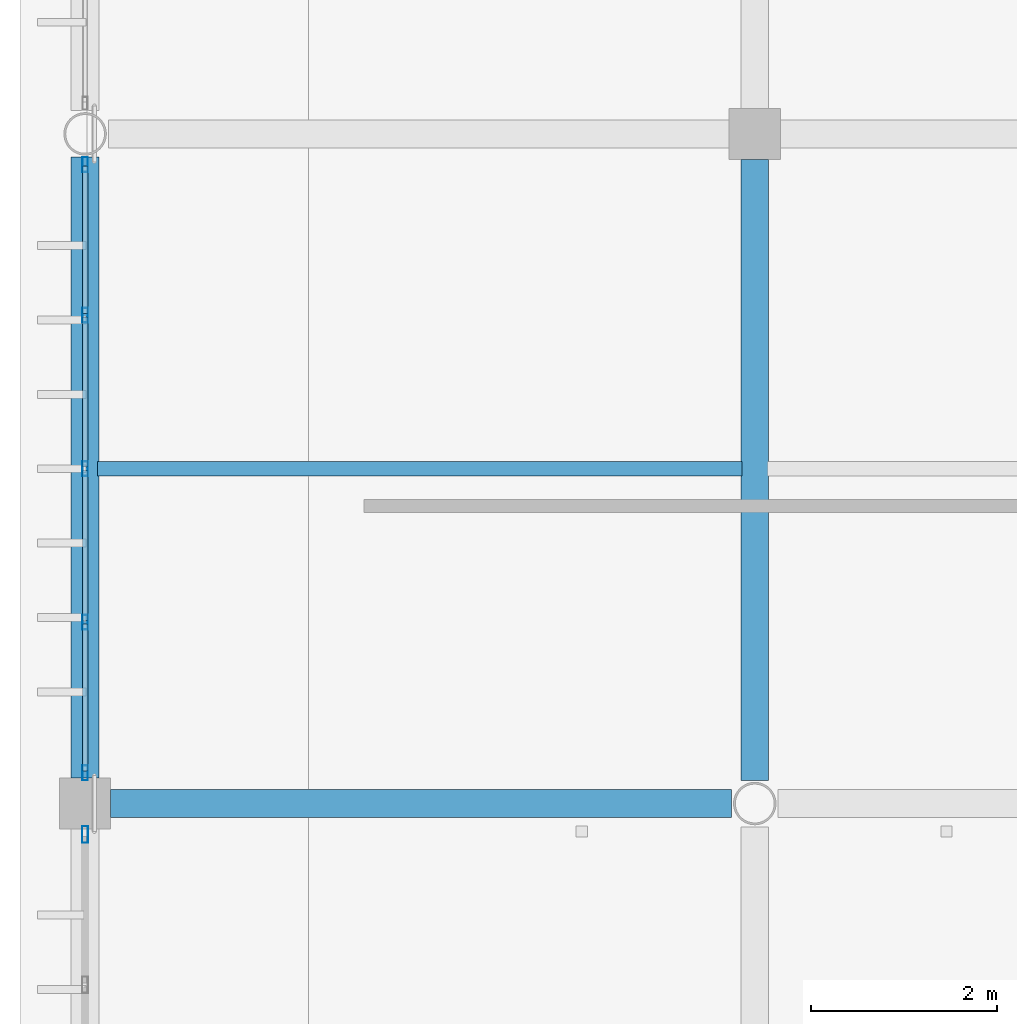
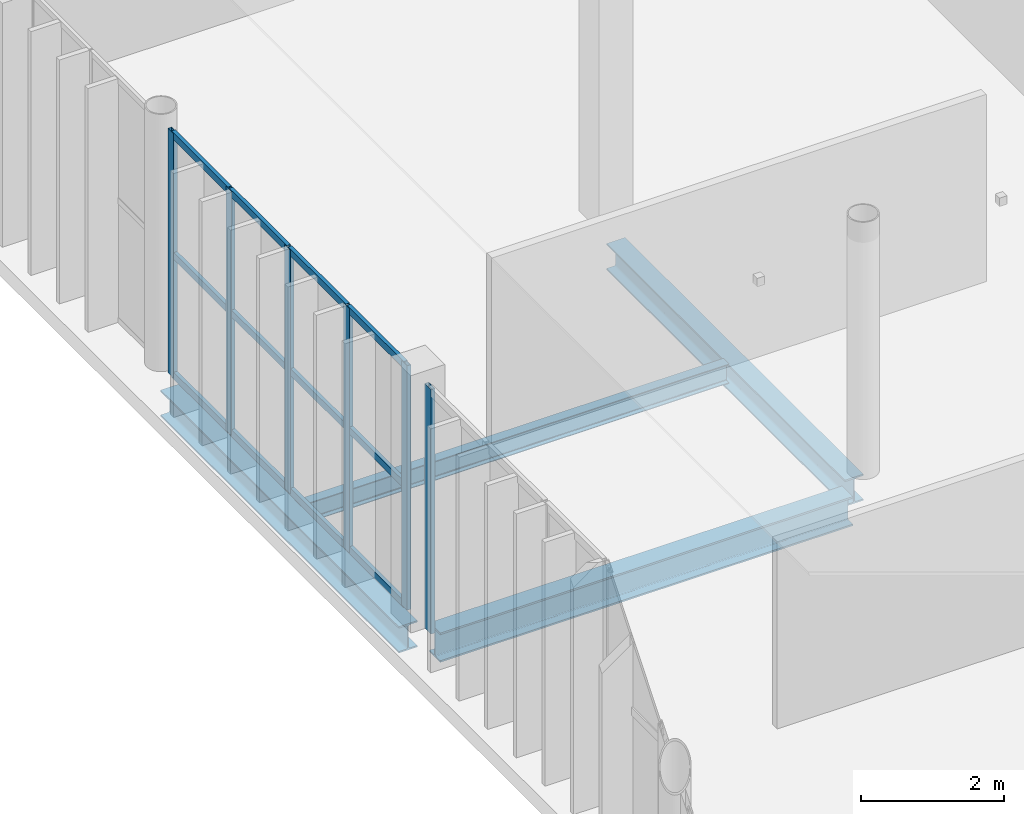
# One storey, part 32 of 81: 18 members, 4 beams, 2 elements without a shape of their own.
"""IFC4 building model written with IfcOpenShell, lengths in metres."""

from ifc_helpers import new_model, si_unit, direction, frame, origin, origin_2d, place, context, subcontext, project, spatial, hollow_rectangle, i_section, extrude, material, material_profile, profile_set, type_object, element, aggregate, save


model = new_model("IFC4")

# Units and contexts
model_context = context("Model", 3, precision=1e-05, world=origin(), true_north=direction((0.0, 1.0)))
body_context = subcontext(model_context, "Body", "Model", "MODEL_VIEW")
ifc_project = project(units=[si_unit("LENGTHUNIT", "METRE"), si_unit("AREAUNIT", "SQUARE_METRE"), si_unit("VOLUMEUNIT", "CUBIC_METRE"), si_unit("PLANEANGLEUNIT", "RADIAN"), si_unit("MASSUNIT", "GRAM", prefix="KILO")], contexts=[model_context])

# Site, building, storey
site_placement = place(None, origin())
site = spatial("IfcSite", under=ifc_project, at=site_placement, CompositionType="ELEMENT")
building_placement = place(site_placement, origin())
building = spatial("IfcBuilding", under=site, at=building_placement, Name="Qandorah Velis Arena", CompositionType="ELEMENT")
storey_placement = place(building_placement, frame((0.0, 0.0, 18.60009765625)))
storey = spatial("IfcBuildingStorey", under=building, at=storey_placement, Name="L04", CompositionType="ELEMENT", Elevation=18.60009765625)

# Curtain wall, members
ifc_material_1 = material(Name="Solar-control low-E double glazing", Category="glass")
curtain_wall_type_1 = type_object("IfcCurtainWallType", Name="ARC-CW-SYS11", PredefinedType="USERDEFINED", material=ifc_material_1)
curtain_wall_1_placement = place(storey_placement, origin())
curtain_wall_1 = element("IfcCurtainWall", 1, at=curtain_wall_1_placement, inside=storey, type_object=curtain_wall_type_1, Name="Unitised curtain wall L04-035", ObjectType="UNITISED CURTAIN WALL", PredefinedType="USERDEFINED")
ifc_material_2 = material(Name="Champagne-bronze anodized aluminium 6063-T6", Category="aluminium")
ifc_material_profile_1 = material_profile(ifc_material_2, hollow_rectangle(XDim=0.06005859375, YDim=0.159912109375, WallThickness=0.00341796875, at=origin_2d()), Name="ALU MULLION 60x160")
ifc_profile_set_1 = profile_set([ifc_material_profile_1], Name="Champagne-bronze anodized aluminium 6063-T6")
member_type_1 = type_object("IfcMemberType", Name="ARC-CWM-160", PredefinedType="MULLION", material=ifc_profile_set_1)
member_1_placement = place(storey_placement, frame((0.0, 65.1298828125, -0.01513671875), z_axis=(0.0, 0.0, 1.0), x_axis=(-1.0, 0.0, 0.0)))
member_1 = element("IfcMember", 2, at=member_1_placement, type_object=member_type_1, Name="CW11 mullion 1", PredefinedType="MULLION", context=body_context, shape_type="SweptSolid", body=[
    extrude(hollow_rectangle(XDim=0.06005859375, YDim=0.159912109375, WallThickness=0.00341796875, at=origin_2d()), origin(), (0.0, 0.0, 1.0), 4.179931640625),
])
member_2_placement = place(storey_placement, frame((0.0, 66.75, -0.01513671875), z_axis=(0.0, 0.0, 1.0), x_axis=(-1.0, 0.0, 0.0)))
member_2 = element("IfcMember", 3, at=member_2_placement, type_object=member_type_1, Name="CW11 mullion 2", PredefinedType="MULLION", context=body_context, shape_type="SweptSolid", body=[
    extrude(hollow_rectangle(XDim=0.06005859375, YDim=0.159912109375, WallThickness=0.00341796875, at=origin_2d()), origin(), (0.0, 0.0, 1.0), 4.179931640625),
])
member_3_placement = place(storey_placement, frame((0.0, 68.39990234375, -0.01513671875), z_axis=(0.0, 0.0, 1.0), x_axis=(-1.0, 0.0, 0.0)))
member_3 = element("IfcMember", 4, at=member_3_placement, type_object=member_type_1, Name="CW11 mullion 3", PredefinedType="MULLION", context=body_context, shape_type="SweptSolid", body=[
    extrude(hollow_rectangle(XDim=0.06005859375, YDim=0.159912109375, WallThickness=0.00341796875, at=origin_2d()), origin(), (0.0, 0.0, 1.0), 4.179931640625),
])
member_4_placement = place(storey_placement, frame((0.0, 70.050048828125, -0.01513671875), z_axis=(0.0, 0.0, 1.0), x_axis=(-1.0, 0.0, 0.0)))
member_4 = element("IfcMember", 5, at=member_4_placement, type_object=member_type_1, Name="CW11 mullion 4", PredefinedType="MULLION", context=body_context, shape_type="SweptSolid", body=[
    extrude(hollow_rectangle(XDim=0.06005859375, YDim=0.159912109375, WallThickness=0.00341796875, at=origin_2d()), origin(), (0.0, 0.0, 1.0), 4.179931640625),
])
member_5_placement = place(storey_placement, frame((0.0, 71.669921875, -0.01513671875), z_axis=(0.0, 0.0, 1.0), x_axis=(-1.0, 0.0, 0.0)))
member_5 = element("IfcMember", 6, at=member_5_placement, type_object=member_type_1, Name="CW11 mullion 5", PredefinedType="MULLION", context=body_context, shape_type="SweptSolid", body=[
    extrude(hollow_rectangle(XDim=0.06005859375, YDim=0.159912109375, WallThickness=0.00341796875, at=origin_2d()), origin(), (0.0, 0.0, 1.0), 4.179931640625),
])

# Curtain wall, member
curtain_wall_type_2 = type_object("IfcCurtainWallType", Name="ARC-CW-SYS10", PredefinedType="USERDEFINED", material=ifc_material_1)
curtain_wall_2_placement = place(storey_placement, origin())
curtain_wall_2 = element("IfcCurtainWall", 7, at=curtain_wall_2_placement, inside=storey, type_object=curtain_wall_type_2, Name="Unitised curtain wall L04-034", ObjectType="UNITISED CURTAIN WALL", PredefinedType="USERDEFINED")
ifc_material_profile_2 = material_profile(ifc_material_2, hollow_rectangle(XDim=0.06494140625, YDim=0.179931640625, WallThickness=0.00341796875, at=origin_2d()), Name="ALU MULLION 65x180")
ifc_profile_set_2 = profile_set([ifc_material_profile_2], Name="Champagne-bronze anodized aluminium 6063-T6")
member_type_2 = type_object("IfcMemberType", Name="ARC-CWM-180", PredefinedType="MULLION", material=ifc_profile_set_2)
member_6_placement = place(storey_placement, frame((0.0, 64.467529296875, -0.01513671875), z_axis=(0.0, 0.0, 1.0), x_axis=(-1.0, 0.0, 0.0)))
member_6 = element("IfcMember", 8, at=member_6_placement, type_object=member_type_2, Name="CW10 mullion 5", PredefinedType="MULLION", context=body_context, shape_type="SweptSolid", body=[
    extrude(hollow_rectangle(XDim=0.06494140625, YDim=0.179931640625, WallThickness=0.00341796875, at=origin_2d()), origin(), (0.0, 0.0, 1.0), 4.179931640625),
])
aggregate(curtain_wall_2, [member_6])

# Member
ifc_material_profile_3 = material_profile(ifc_material_2, hollow_rectangle(XDim=0.06005859375, YDim=0.1201171875, WallThickness=0.0029296875, at=origin_2d()), Name="ALU TRANSOM 60x120")
ifc_profile_set_3 = profile_set([ifc_material_profile_3], Name="Champagne-bronze anodized aluminium 6063-T6")
member_type_3 = type_object("IfcMemberType", Name="ARC-CWT-120", PredefinedType="USERDEFINED", material=ifc_profile_set_3)
member_7_placement = place(storey_placement, frame((0.0, 65.14794921875, 0.02978515625), z_axis=(0.0, 1.0, 0.0), x_axis=(-1.0, 0.0, 0.0)))
member_7 = element("IfcMember", 9, at=member_7_placement, type_object=member_type_3, Name="CW11 transom 1.1", ObjectType="TRANSOM", PredefinedType="USERDEFINED", context=body_context, shape_type="SweptSolid", body=[
    extrude(hollow_rectangle(XDim=0.06005859375, YDim=0.1201171875, WallThickness=0.0029296875, at=origin_2d()), origin(), (0.0, 0.0, 1.0), 1.583984375),
])

member_8_placement = place(storey_placement, frame((0.0, 65.14794921875, 2.074951171875), z_axis=(0.0, 1.0, 0.0), x_axis=(-1.0, 0.0, 0.0)))
member_8 = element("IfcMember", 10, at=member_8_placement, type_object=member_type_3, Name="CW11 transom 1.2", ObjectType="TRANSOM", PredefinedType="USERDEFINED", context=body_context, shape_type="SweptSolid", body=[
    extrude(hollow_rectangle(XDim=0.06005859375, YDim=0.1201171875, WallThickness=0.0029296875, at=origin_2d()), origin(), (0.0, 0.0, 1.0), 1.583984375),
])

member_9_placement = place(storey_placement, frame((0.0, 65.14794921875, 4.119873046875), z_axis=(0.0, 1.0, 0.0), x_axis=(-1.0, 0.0, 0.0)))
member_9 = element("IfcMember", 11, at=member_9_placement, type_object=member_type_3, Name="CW11 transom 1.3", ObjectType="TRANSOM", PredefinedType="USERDEFINED", context=body_context, shape_type="SweptSolid", body=[
    extrude(hollow_rectangle(XDim=0.06005859375, YDim=0.1201171875, WallThickness=0.0029296875, at=origin_2d()), origin(), (0.0, 0.0, 1.0), 1.583984375),
])

member_10_placement = place(storey_placement, frame((0.0, 66.76806640625, 0.02978515625), z_axis=(0.0, 1.0, 0.0), x_axis=(-1.0, 0.0, 0.0)))
member_10 = element("IfcMember", 12, at=member_10_placement, type_object=member_type_3, Name="CW11 transom 2.1", ObjectType="TRANSOM", PredefinedType="USERDEFINED", context=body_context, shape_type="SweptSolid", body=[
    extrude(hollow_rectangle(XDim=0.06005859375, YDim=0.1201171875, WallThickness=0.0029296875, at=origin_2d()), origin(), (0.0, 0.0, 1.0), 1.614013671875),
])

member_11_placement = place(storey_placement, frame((0.0, 66.76806640625, 2.074951171875), z_axis=(0.0, 1.0, 0.0), x_axis=(-1.0, 0.0, 0.0)))
member_11 = element("IfcMember", 13, at=member_11_placement, type_object=member_type_3, Name="CW11 transom 2.2", ObjectType="TRANSOM", PredefinedType="USERDEFINED", context=body_context, shape_type="SweptSolid", body=[
    extrude(hollow_rectangle(XDim=0.06005859375, YDim=0.1201171875, WallThickness=0.0029296875, at=origin_2d()), origin(), (0.0, 0.0, 1.0), 1.614013671875),
])

member_12_placement = place(storey_placement, frame((0.0, 66.76806640625, 4.119873046875), z_axis=(0.0, 1.0, 0.0), x_axis=(-1.0, 0.0, 0.0)))
member_12 = element("IfcMember", 14, at=member_12_placement, type_object=member_type_3, Name="CW11 transom 2.3", ObjectType="TRANSOM", PredefinedType="USERDEFINED", context=body_context, shape_type="SweptSolid", body=[
    extrude(hollow_rectangle(XDim=0.06005859375, YDim=0.1201171875, WallThickness=0.0029296875, at=origin_2d()), origin(), (0.0, 0.0, 1.0), 1.614013671875),
])

member_13_placement = place(storey_placement, frame((0.0, 68.41796875, 0.02978515625), z_axis=(0.0, 1.0, 0.0), x_axis=(-1.0, 0.0, 0.0)))
member_13 = element("IfcMember", 15, at=member_13_placement, type_object=member_type_3, Name="CW11 transom 3.1", ObjectType="TRANSOM", PredefinedType="USERDEFINED", context=body_context, shape_type="SweptSolid", body=[
    extrude(hollow_rectangle(XDim=0.06005859375, YDim=0.1201171875, WallThickness=0.0029296875, at=origin_2d()), origin(), (0.0, 0.0, 1.0), 1.614013671875),
])

member_14_placement = place(storey_placement, frame((0.0, 68.41796875, 2.074951171875), z_axis=(0.0, 1.0, 0.0), x_axis=(-1.0, 0.0, 0.0)))
member_14 = element("IfcMember", 16, at=member_14_placement, type_object=member_type_3, Name="CW11 transom 3.2", ObjectType="TRANSOM", PredefinedType="USERDEFINED", context=body_context, shape_type="SweptSolid", body=[
    extrude(hollow_rectangle(XDim=0.06005859375, YDim=0.1201171875, WallThickness=0.0029296875, at=origin_2d()), origin(), (0.0, 0.0, 1.0), 1.614013671875),
])

member_15_placement = place(storey_placement, frame((0.0, 68.41796875, 4.119873046875), z_axis=(0.0, 1.0, 0.0), x_axis=(-1.0, 0.0, 0.0)))
member_15 = element("IfcMember", 17, at=member_15_placement, type_object=member_type_3, Name="CW11 transom 3.3", ObjectType="TRANSOM", PredefinedType="USERDEFINED", context=body_context, shape_type="SweptSolid", body=[
    extrude(hollow_rectangle(XDim=0.06005859375, YDim=0.1201171875, WallThickness=0.0029296875, at=origin_2d()), origin(), (0.0, 0.0, 1.0), 1.614013671875),
])

member_16_placement = place(storey_placement, frame((0.0, 70.068115234375, 0.02978515625), z_axis=(0.0, 1.0, 0.0), x_axis=(-1.0, 0.0, 0.0)))
member_16 = element("IfcMember", 18, at=member_16_placement, type_object=member_type_3, Name="CW11 transom 4.1", ObjectType="TRANSOM", PredefinedType="USERDEFINED", context=body_context, shape_type="SweptSolid", body=[
    extrude(hollow_rectangle(XDim=0.06005859375, YDim=0.1201171875, WallThickness=0.0029296875, at=origin_2d()), origin(), (0.0, 0.0, 1.0), 1.583984375),
])

member_17_placement = place(storey_placement, frame((0.0, 70.068115234375, 2.074951171875), z_axis=(0.0, 1.0, 0.0), x_axis=(-1.0, 0.0, 0.0)))
member_17 = element("IfcMember", 19, at=member_17_placement, type_object=member_type_3, Name="CW11 transom 4.2", ObjectType="TRANSOM", PredefinedType="USERDEFINED", context=body_context, shape_type="SweptSolid", body=[
    extrude(hollow_rectangle(XDim=0.06005859375, YDim=0.1201171875, WallThickness=0.0029296875, at=origin_2d()), origin(), (0.0, 0.0, 1.0), 1.583984375),
])

member_18_placement = place(storey_placement, frame((0.0, 70.068115234375, 4.119873046875), z_axis=(0.0, 1.0, 0.0), x_axis=(-1.0, 0.0, 0.0)))
member_18 = element("IfcMember", 20, at=member_18_placement, type_object=member_type_3, Name="CW11 transom 4.3", ObjectType="TRANSOM", PredefinedType="USERDEFINED", context=body_context, shape_type="SweptSolid", body=[
    extrude(hollow_rectangle(XDim=0.06005859375, YDim=0.1201171875, WallThickness=0.0029296875, at=origin_2d()), origin(), (0.0, 0.0, 1.0), 1.583984375),
])

aggregate(curtain_wall_1, [member_1, member_2, member_3, member_4, member_5, member_7, member_8, member_9, member_10, member_11, member_12, member_13, member_14, member_15, member_16, member_17, member_18])

# Beams
ifc_material_3 = material(Name="Steel S355", Category="steel")
ifc_material_profile_4 = material_profile(ifc_material_3, i_section(OverallWidth=0.300048828125, OverallDepth=0.449951171875, WebThickness=0.013916015625, FlangeThickness=0.02587890625, FilletRadius=0.027099609375, at=origin_2d()), Name="HEB 450")
ifc_profile_set_4 = profile_set([ifc_material_profile_4], Name="Steel S355")
beam_type_1 = type_object("IfcBeamType", Name="STR-BM-HEB450", PredefinedType="BEAM", material=ifc_profile_set_4)
for number, where, z_axis, x_axis, name in (
    (21, (0.0, 65.074951171875, -0.4951171875), (0.0, 1.0, 0.0), (-1.0, 0.0, 0.0), "Primary floor girder L04 Y-152"),
    (22, (7.199951171875, 65.050048828125, -0.4951171875), (0.0, 1.0, 0.0), (-1.0, 0.0, 0.0), "Primary floor girder L04 Y-164"),
):
    element("IfcBeam", number, at=place(storey_placement, frame(where, z_axis=z_axis, x_axis=x_axis)), inside=storey, type_object=beam_type_1, Name=name, PredefinedType="BEAM", context=body_context, shape_type="SweptSolid", body=[
        extrude(i_section(OverallWidth=0.300048828125, OverallDepth=0.449951171875, WebThickness=0.013916015625, FlangeThickness=0.02587890625, FilletRadius=0.027099609375, at=origin_2d()), origin(), (0.0, 0.0, 1.0), 6.675048828125),
    ])
ifc_material_profile_5 = material_profile(ifc_material_3, i_section(OverallWidth=0.300048828125, OverallDepth=0.5, WebThickness=0.014404296875, FlangeThickness=0.028076171875, FilletRadius=0.027099609375, at=origin_2d()), Name="HEB 500")
ifc_profile_set_5 = profile_set([ifc_material_profile_5], Name="Steel S355")
beam_type_2 = type_object("IfcBeamType", Name="STR-BM-HEB500", PredefinedType="BEAM", material=ifc_profile_set_5)
beam_1_placement = place(storey_placement, frame((0.27490234375, 64.800048828125, -0.52001953125), z_axis=(1.0, 0.0, 0.0), x_axis=(0.0, 1.0, 0.0)))
element("IfcBeam", 23, at=beam_1_placement, inside=storey, type_object=beam_type_2, Name="Primary floor girder L04 X-073", PredefinedType="BEAM", context=body_context, shape_type="SweptSolid", body=[
    extrude(i_section(OverallWidth=0.300048828125, OverallDepth=0.5, WebThickness=0.014404296875, FlangeThickness=0.028076171875, FilletRadius=0.027099609375, at=origin_2d()), origin(), (0.0, 0.0, 1.0), 6.675048828125),
])
ifc_material_profile_6 = material_profile(ifc_material_3, i_section(OverallWidth=0.159912109375, OverallDepth=0.330078125, WebThickness=0.007568359375, FlangeThickness=0.011474609375, FilletRadius=0.01806640625, at=origin_2d()), Name="IPE 330")
ifc_profile_set_6 = profile_set([ifc_material_profile_6], Name="Steel S355")
beam_type_3 = type_object("IfcBeamType", Name="STR-JST-IPE330", PredefinedType="JOIST", material=ifc_profile_set_6)
beam_2_placement = place(storey_placement, frame((0.135009765625, 68.39990234375, -0.43505859375), z_axis=(1.0, 0.0, 0.0), x_axis=(0.0, 1.0, 0.0)))
element("IfcBeam", 24, at=beam_2_placement, inside=storey, type_object=beam_type_3, Name="Secondary floor joist L04-005", PredefinedType="JOIST", context=body_context, shape_type="SweptSolid", body=[
    extrude(i_section(OverallWidth=0.159912109375, OverallDepth=0.330078125, WebThickness=0.007568359375, FlangeThickness=0.011474609375, FilletRadius=0.01806640625, at=origin_2d()), origin(), (0.0, 0.0, 1.0), 6.929931640625),
])

save(model, "model.ifc")
